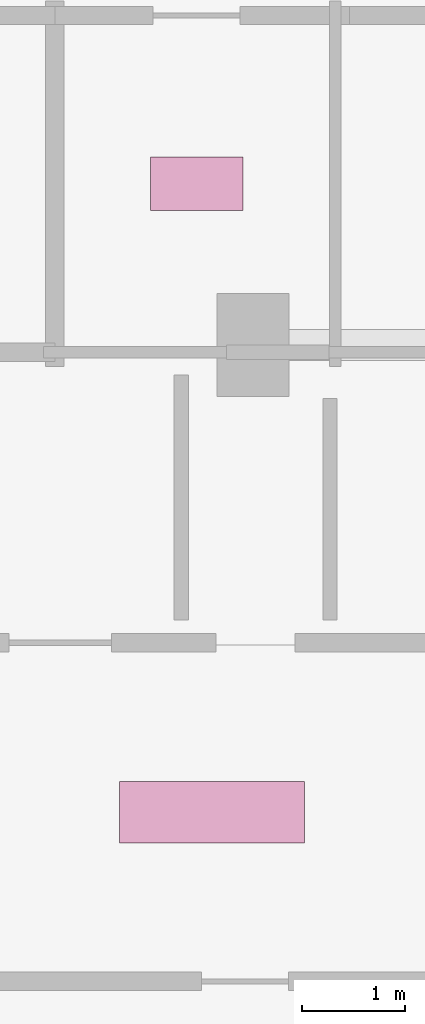
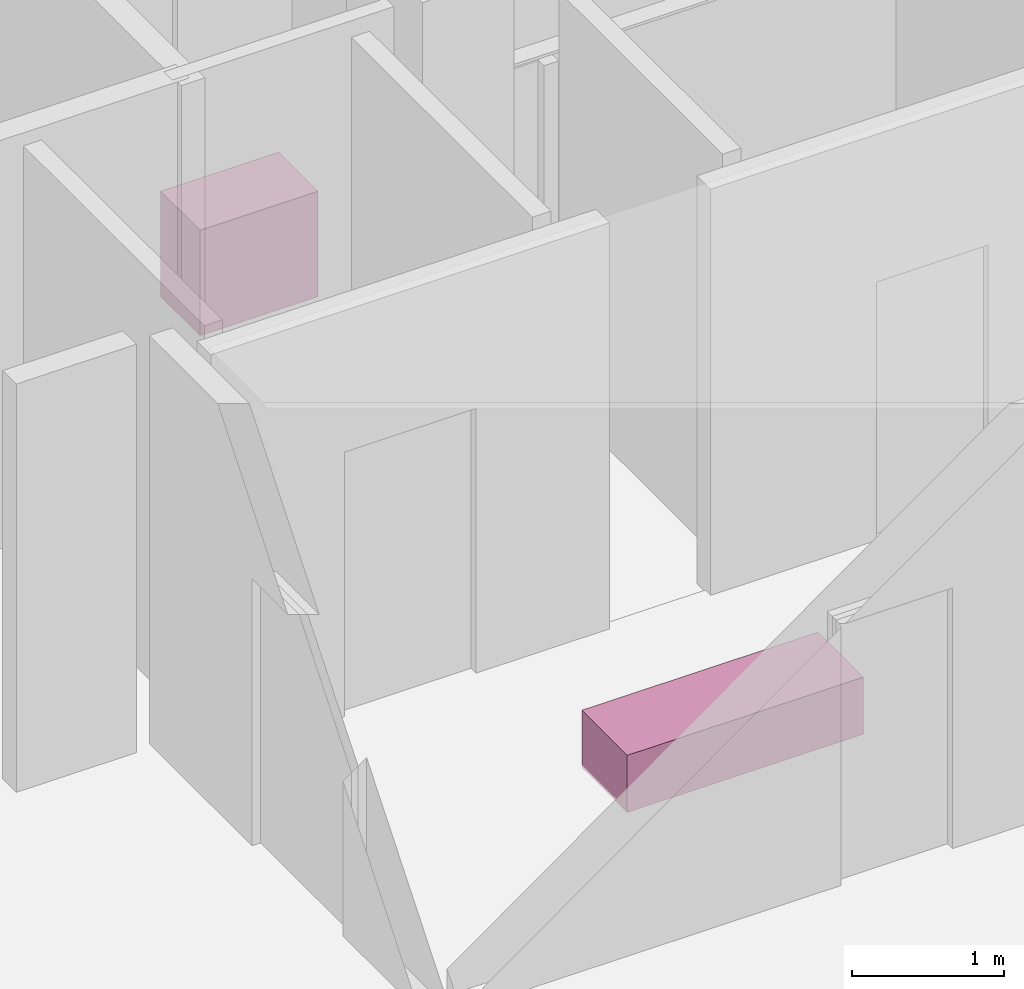
# One storey, part 29 of 29: 2 furnishings.
"""IFC4 building model written with IfcOpenShell, lengths in metres."""

from ifc_helpers import new_model, si_unit, direction, frame, origin, origin_2d, place, context, subcontext, project, spatial, rectangle, extrude, material, type_object, element, save


model = new_model("IFC4")

# Units and contexts
model_context = context("Model", 3, precision=1e-05, world=origin(), true_north=direction((0.0, 1.0)))
body_context = subcontext(model_context, "Body", "Model", "MODEL_VIEW")
ifc_project = project(units=[si_unit("LENGTHUNIT", "METRE"), si_unit("AREAUNIT", "SQUARE_METRE"), si_unit("VOLUMEUNIT", "CUBIC_METRE"), si_unit("PLANEANGLEUNIT", "RADIAN"), si_unit("MASSUNIT", "GRAM", prefix="KILO")], contexts=[model_context])

# Site, building, storey
site_placement = place(None, origin())
site = spatial("IfcSite", under=ifc_project, at=site_placement, CompositionType="ELEMENT")
building_placement = place(site_placement, origin())
building = spatial("IfcBuilding", under=site, at=building_placement, Name="Vorneva Point Tower", CompositionType="ELEMENT")
storey_placement = place(building_placement, frame((0.0, 0.0, 259.10009765625)))
storey = spatial("IfcBuildingStorey", under=building, at=storey_placement, Name="L70", CompositionType="ELEMENT", Elevation=259.10009765625)

# Furnishings
ifc_material_1 = material(Name="Engineered oak fire-rated door leaf", Category="wood")
furniture_type_1 = type_object("IfcFurnitureType", Name="FUR-BNC-1800", AssemblyPlace="NOTDEFINED", PredefinedType="NOTDEFINED", material=ifc_material_1)
furnishing_1_placement = place(storey_placement, frame((35.0, 26.0, -0.005126953125), z_axis=(0.0, 0.0, 1.0), x_axis=(1.0, 0.0, 0.0)))
element("IfcFurnishingElement", 1, at=furnishing_1_placement, inside=storey, type_object=furniture_type_1, Name="L70 Lift Lobby Seating Bench", ObjectType="L70 Lift Lobby Seating Bench", context=body_context, shape_type="SweptSolid", body=[
    extrude(rectangle(XDim=1.800048828125, YDim=0.60009765625, at=origin_2d()), origin(), (0.0, 0.0, 1.0), 0.4599609375),
])
ifc_material_2 = material(Name="Vitreous china and granite top", Category="masonry")
furniture_type_2 = type_object("IfcFurnitureType", Name="FUR-VAN-900", AssemblyPlace="NOTDEFINED", PredefinedType="NOTDEFINED", material=ifc_material_2)
furnishing_2_placement = place(storey_placement, frame((34.85009765625, 32.1201171875, -0.005126953125), z_axis=(0.0, 0.0, 1.0), x_axis=(1.0, 0.0, 0.0)))
element("IfcFurnishingElement", 2, at=furnishing_2_placement, inside=storey, type_object=furniture_type_2, Name="L70 Public Male WC Vanity Unit", ObjectType="L70 Public Male WC Vanity Unit", context=body_context, shape_type="SweptSolid", body=[
    extrude(rectangle(XDim=0.89990234375, YDim=0.52001953125, at=origin_2d()), origin(), (0.0, 0.0, 1.0), 0.85009765625),
])

save(model, "model.ifc")
